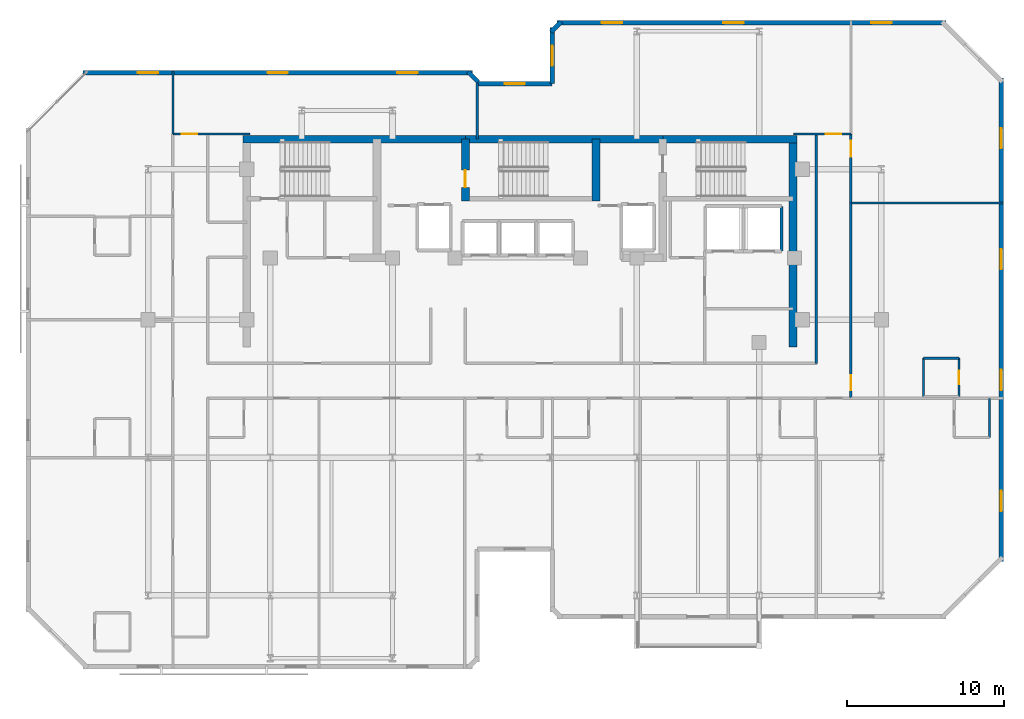
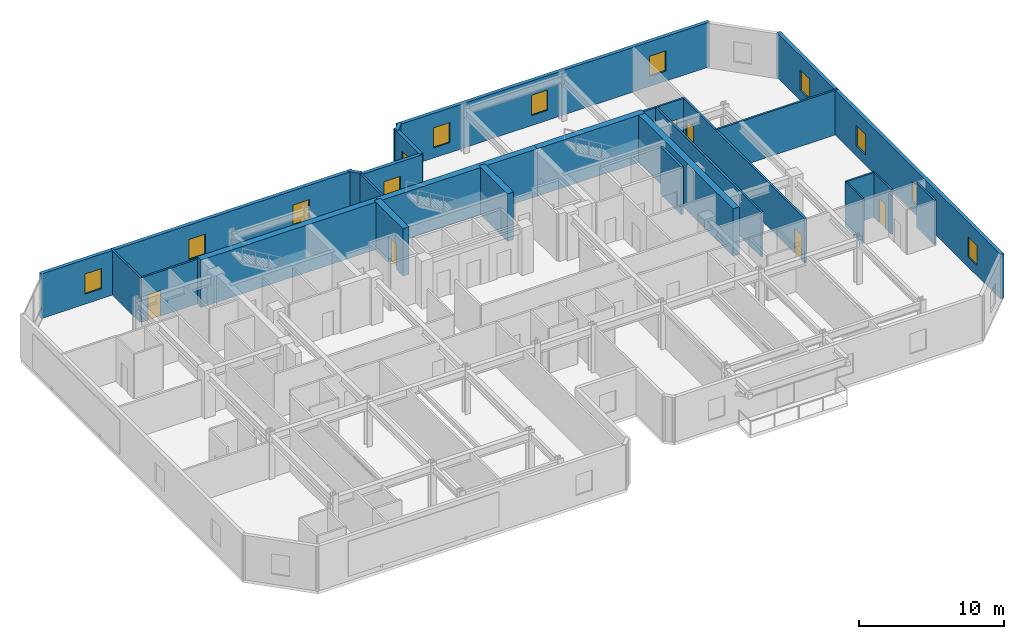
# One storey, part 7 of 10: 25 walls, 12 windows, 6 doors, 18 openings.
"""IFC4 building model written with IfcOpenShell, lengths in metres."""

from ifc_helpers import new_model, si_unit, direction, frame, frame_2d, origin, place, context, subcontext, project, spatial, rectangle, extrude, material, layer, layer_set, type_object, element, fill, save


model = new_model("IFC4")

# Units and contexts
model_context = context("Model", 3, precision=1e-05, world=origin(), true_north=direction((0.0, 1.0)))
body_context = subcontext(model_context, "Body", "Model", "MODEL_VIEW")
ifc_project = project(units=[si_unit("LENGTHUNIT", "METRE"), si_unit("AREAUNIT", "SQUARE_METRE"), si_unit("VOLUMEUNIT", "CUBIC_METRE"), si_unit("PLANEANGLEUNIT", "RADIAN"), si_unit("MASSUNIT", "GRAM", prefix="KILO")], contexts=[model_context])

# Site, building, storey
site_placement = place(None, origin())
site = spatial("IfcSite", under=ifc_project, at=site_placement, CompositionType="ELEMENT")
building_placement = place(site_placement, origin())
building = spatial("IfcBuilding", under=site, at=building_placement, Name="Kestravale Grand Hotel", CompositionType="ELEMENT")
storey_placement = place(building_placement, frame((0.0, 0.0, 285.39990234375)))
storey = spatial("IfcBuildingStorey", under=building, at=storey_placement, Name="L71", CompositionType="ELEMENT", Elevation=285.39990234375)

# Walls
ifc_material_1 = material(Name="Concrete f'c 50 MPa", Category="concrete")
ifc_layer_1 = layer(ifc_material_1, 0.5)
ifc_layer_set_1 = layer_set([ifc_layer_1], Name="EW-CORE-500")
wall_type_1 = type_object("IfcWallType", Name="EW-CORE-500", PredefinedType="SHEAR", material=ifc_layer_set_1)
wall_1_placement = place(storey_placement, frame((21.64990234375, 40.320068359375, 0.0), z_axis=(0.0, 0.0, 1.0), x_axis=(1.0, 0.0, 0.0)))
element("IfcWall", 1, at=wall_1_placement, inside=storey, type_object=wall_type_1, Name="L71 core shear wall N1", PredefinedType="SHEAR", context=body_context, shape_type="SweptSolid", body=[
    extrude(rectangle(XDim=14.2001953125, YDim=0.5, at=frame_2d((7.10009765625, 0.0))), origin(), (0.0, 0.0, 1.0), 4.0),
])
wall_2_placement = place(storey_placement, frame((35.85009765625, 40.320068359375, 0.0), z_axis=(0.0, 0.0, 1.0), x_axis=(1.0, 0.0, 0.0)))
element("IfcWall", 2, at=wall_2_placement, inside=storey, type_object=wall_type_1, Name="L71 core shear wall N2", PredefinedType="SHEAR", context=body_context, shape_type="SweptSolid", body=[
    extrude(rectangle(XDim=12.599853515625, YDim=0.5, at=frame_2d((6.2998046875, 0.0))), origin(), (0.0, 0.0, 1.0), 4.0),
])
wall_3_placement = place(storey_placement, frame((48.449951171875, 40.320068359375, 0.0), z_axis=(0.0, 0.0, 1.0), x_axis=(1.0, 0.0, 0.0)))
element("IfcWall", 3, at=wall_3_placement, inside=storey, type_object=wall_type_1, Name="L71 core shear wall N3", PredefinedType="SHEAR", context=body_context, shape_type="SweptSolid", body=[
    extrude(rectangle(XDim=8.570068359375, YDim=0.5, at=frame_2d((4.28515625, 0.0))), origin(), (0.0, 0.0, 1.0), 4.0),
])
wall_4_placement = place(storey_placement, frame((56.77001953125, 27.050048828125, 0.0), z_axis=(0.0, 0.0, 1.0), x_axis=(0.0, 1.0, 0.0)))
element("IfcWall", 4, at=wall_4_placement, inside=storey, type_object=wall_type_1, Name="L71 core shear wall E1", PredefinedType="SHEAR", context=body_context, shape_type="SweptSolid", body=[
    extrude(rectangle(XDim=13.52001953125, YDim=0.5, at=frame_2d((6.760009765625, 0.0))), origin(), (0.0, 0.0, 1.0), 4.0),
])

# Wall, opening, door
wall_5_placement = place(storey_placement, frame((35.85009765625, 36.3701171875, 0.0), z_axis=(0.0, 0.0, 1.0), x_axis=(0.0, 1.0, 0.0)))
wall_5 = element("IfcWall", 5, at=wall_5_placement, inside=storey, type_object=wall_type_1, Name="L71 core shear wall X2", PredefinedType="SHEAR", context=body_context, shape_type="SweptSolid", body=[
    extrude(rectangle(XDim=3.949951171875, YDim=0.5, at=frame_2d((1.97509765625, 0.0))), origin(), (0.0, 0.0, 1.0), 4.0),
])
opening_1_placement = place(wall_5_placement, frame((0.8798828125, 0.0, 0.0)))
opening_1 = element("IfcOpeningElement", 6, at=opening_1_placement, cuts=wall_5, Name="Opening D-ST-1100", PredefinedType="OPENING", context=body_context, shape_type="SweptSolid", body=[
    extrude(rectangle(XDim=1.10009765625, YDim=2.14990234375, at=frame_2d((0.550048828125, 1.074951171875))), frame((0.0, 0.260009765625, 0.0), z_axis=(0.0, -1.0, 0.0), x_axis=(1.0, 0.0, 0.0)), (0.0, 0.0, 1.0), 0.52001953125),
])
ifc_material_2 = material(Name="Galvanised 90-minute fire-rated steel stair door", Category="steel")
door_type_1 = type_object("IfcDoorType", Name="D-ST-1100", OperationType="NOTDEFINED", PredefinedType="DOOR", material=ifc_material_2)
door_1_placement = place(opening_1_placement, origin())
door_1 = element("IfcDoor", 7, at=door_1_placement, inside=storey, type_object=door_type_1, Name="L71 Stair ST-2 FSAE fire door", OperationType="SINGLE_SWING_RIGHT", OverallHeight=2.14990234375, OverallWidth=1.10009765625, PredefinedType="DOOR", context=body_context, shape_type="SweptSolid", body=[
    extrude(rectangle(XDim=1.10009765625, YDim=2.14990234375, at=frame_2d((0.550048828125, 1.074951171875))), frame((0.0, 0.02490234375, 0.0), z_axis=(0.0, -1.0, 0.0), x_axis=(1.0, 0.0, 0.0)), (0.0, 0.0, 1.0), 0.050048828125),
])
fill(opening_1, door_1)

# Wall
wall_6_placement = place(storey_placement, frame((44.179931640625, 36.3701171875, 0.0), z_axis=(0.0, 0.0, 1.0), x_axis=(0.0, 1.0, 0.0)))
element("IfcWall", 8, at=wall_6_placement, inside=storey, type_object=wall_type_1, Name="L71 core shear wall X3", PredefinedType="SHEAR", context=body_context, shape_type="SweptSolid", body=[
    extrude(rectangle(XDim=3.949951171875, YDim=0.5, at=frame_2d((1.97509765625, 0.0))), origin(), (0.0, 0.0, 1.0), 4.0),
])

# Wall, openings, windows
ifc_material_3 = material(Name="Precast concrete f'c 45 MPa", Category="concrete")
ifc_layer_2 = layer(ifc_material_3, 0.280029296875)
ifc_layer_set_2 = layer_set([ifc_layer_2], Name="EW-PREC-280")
wall_type_2 = type_object("IfcWallType", Name="EW-PREC-280", PredefinedType="SOLIDWALL", material=ifc_layer_set_2)
wall_7_placement = place(storey_placement, frame((70.06005859375, 13.360107421875, 0.0), z_axis=(0.0, 0.0, 1.0), x_axis=(0.0, 1.0, 0.0)))
wall_7 = element("IfcWall", 9, at=wall_7_placement, inside=storey, type_object=wall_type_2, Name="L71 fluted precast facade wall 9", PredefinedType="SOLIDWALL", context=body_context, shape_type="SweptSolid", body=[
    extrude(rectangle(XDim=30.8798828125, YDim=0.280029296875, at=frame_2d((15.43994140625, 0.0))), origin(), (0.0, 0.0, 1.0), 3.760009765625),
])
opening_2_placement = place(wall_7_placement, frame((3.2099609375, 0.0, 0.85009765625)))
opening_2 = element("IfcOpeningElement", 10, at=opening_2_placement, cuts=wall_7, Name="Opening W-GUEST-1300", PredefinedType="OPENING", context=body_context, shape_type="SweptSolid", body=[
    extrude(rectangle(XDim=1.300048828125, YDim=1.699951171875, at=frame_2d((0.64990234375, 0.85009765625))), frame((0.0, 0.14990234375, 0.0), z_axis=(0.0, -1.0, 0.0), x_axis=(1.0, 0.0, 0.0)), (0.0, 0.0, 1.0), 0.300048828125),
])
opening_3_placement = place(wall_7_placement, frame((10.929931640625, 0.0, 0.85009765625)))
opening_3 = element("IfcOpeningElement", 11, at=opening_3_placement, cuts=wall_7, Name="Opening W-GUEST-1300", PredefinedType="OPENING", context=body_context, shape_type="SweptSolid", body=[
    extrude(rectangle(XDim=1.300048828125, YDim=1.699951171875, at=frame_2d((0.64990234375, 0.85009765625))), frame((0.0, 0.14990234375, 0.0), z_axis=(0.0, -1.0, 0.0), x_axis=(1.0, 0.0, 0.0)), (0.0, 0.0, 1.0), 0.300048828125),
])
opening_4_placement = place(wall_7_placement, frame((18.64990234375, 0.0, 0.85009765625)))
opening_4 = element("IfcOpeningElement", 12, at=opening_4_placement, cuts=wall_7, Name="Opening W-GUEST-1300", PredefinedType="OPENING", context=body_context, shape_type="SweptSolid", body=[
    extrude(rectangle(XDim=1.300048828125, YDim=1.699951171875, at=frame_2d((0.64990234375, 0.85009765625))), frame((0.0, 0.14990234375, 0.0), z_axis=(0.0, -1.0, 0.0), x_axis=(1.0, 0.0, 0.0)), (0.0, 0.0, 1.0), 0.300048828125),
])
opening_5_placement = place(wall_7_placement, frame((26.3701171875, 0.0, 0.85009765625)))
opening_5 = element("IfcOpeningElement", 13, at=opening_5_placement, cuts=wall_7, Name="Opening W-GUEST-1300", PredefinedType="OPENING", context=body_context, shape_type="SweptSolid", body=[
    extrude(rectangle(XDim=1.300048828125, YDim=1.699951171875, at=frame_2d((0.64990234375, 0.85009765625))), frame((0.0, 0.14990234375, 0.0), z_axis=(0.0, -1.0, 0.0), x_axis=(1.0, 0.0, 0.0)), (0.0, 0.0, 1.0), 0.300048828125),
])
ifc_material_4 = material(Name="Insulated low-E double glazing in aluminium frame", Category="aluminium")
window_type = type_object("IfcWindowType", Name="W-GUEST-1300", PartitioningType="SINGLE_PANEL", PredefinedType="WINDOW", material=ifc_material_4)
window_1_placement = place(opening_2_placement, origin())
window_1 = element("IfcWindow", 14, at=window_1_placement, inside=storey, type_object=window_type, Name="L71 exterior window 9.1", OverallHeight=1.699951171875, OverallWidth=1.300048828125, PartitioningType="SINGLE_PANEL", PredefinedType="WINDOW", context=body_context, shape_type="SweptSolid", body=[
    extrude(rectangle(XDim=1.300048828125, YDim=1.699951171875, at=frame_2d((0.64990234375, 0.85009765625))), frame((0.0, 0.030029296875, 0.0), z_axis=(0.0, -1.0, 0.0), x_axis=(1.0, 0.0, 0.0)), (0.0, 0.0, 1.0), 0.06005859375),
])
fill(opening_2, window_1)
window_2_placement = place(opening_3_placement, origin())
window_2 = element("IfcWindow", 15, at=window_2_placement, inside=storey, type_object=window_type, Name="L71 exterior window 9.2", OverallHeight=1.699951171875, OverallWidth=1.300048828125, PartitioningType="SINGLE_PANEL", PredefinedType="WINDOW", context=body_context, shape_type="SweptSolid", body=[
    extrude(rectangle(XDim=1.300048828125, YDim=1.699951171875, at=frame_2d((0.64990234375, 0.85009765625))), frame((0.0, 0.030029296875, 0.0), z_axis=(0.0, -1.0, 0.0), x_axis=(1.0, 0.0, 0.0)), (0.0, 0.0, 1.0), 0.06005859375),
])
fill(opening_3, window_2)
window_3_placement = place(opening_4_placement, origin())
window_3 = element("IfcWindow", 16, at=window_3_placement, inside=storey, type_object=window_type, Name="L71 exterior window 9.3", OverallHeight=1.699951171875, OverallWidth=1.300048828125, PartitioningType="SINGLE_PANEL", PredefinedType="WINDOW", context=body_context, shape_type="SweptSolid", body=[
    extrude(rectangle(XDim=1.300048828125, YDim=1.699951171875, at=frame_2d((0.64990234375, 0.85009765625))), frame((0.0, 0.030029296875, 0.0), z_axis=(0.0, -1.0, 0.0), x_axis=(1.0, 0.0, 0.0)), (0.0, 0.0, 1.0), 0.06005859375),
])
fill(opening_4, window_3)
window_4_placement = place(opening_5_placement, origin())
window_4 = element("IfcWindow", 17, at=window_4_placement, inside=storey, type_object=window_type, Name="L71 exterior window 9.4", OverallHeight=1.699951171875, OverallWidth=1.300048828125, PartitioningType="SINGLE_PANEL", PredefinedType="WINDOW", context=body_context, shape_type="SweptSolid", body=[
    extrude(rectangle(XDim=1.300048828125, YDim=1.699951171875, at=frame_2d((0.64990234375, 0.85009765625))), frame((0.0, 0.030029296875, 0.0), z_axis=(0.0, -1.0, 0.0), x_axis=(1.0, 0.0, 0.0)), (0.0, 0.0, 1.0), 0.06005859375),
])
fill(opening_5, window_4)

wall_8_placement = place(storey_placement, frame((66.5400390625, 47.760009765625, 0.0), z_axis=(0.0, 0.0, 1.0), x_axis=(-1.0, 0.0, 0.0)))
wall_8 = element("IfcWall", 18, at=wall_8_placement, inside=storey, type_object=wall_type_2, Name="L71 fluted precast facade wall 11", PredefinedType="SOLIDWALL", context=body_context, shape_type="SweptSolid", body=[
    extrude(rectangle(XDim=24.830078125, YDim=0.280029296875, at=frame_2d((12.4150390625, 0.0))), origin(), (0.0, 0.0, 1.0), 3.760009765625),
])
opening_6_placement = place(wall_8_placement, frame((3.48828125, 0.0, 0.85009765625)))
opening_6 = element("IfcOpeningElement", 19, at=opening_6_placement, cuts=wall_8, Name="Opening W-GUEST-1300", PredefinedType="OPENING", context=body_context, shape_type="SweptSolid", body=[
    extrude(rectangle(XDim=1.300048828125, YDim=1.699951171875, at=frame_2d((0.64990234375, 0.85009765625))), frame((0.0, 0.14990234375, 0.0), z_axis=(0.0, -1.0, 0.0), x_axis=(1.0, 0.0, 0.0)), (0.0, 0.0, 1.0), 0.300048828125),
])
opening_7_placement = place(wall_8_placement, frame((12.9150390625, 0.0, 0.85009765625)))
opening_7 = element("IfcOpeningElement", 20, at=opening_7_placement, cuts=wall_8, Name="Opening W-GUEST-1300", PredefinedType="OPENING", context=body_context, shape_type="SweptSolid", body=[
    extrude(rectangle(XDim=1.300048828125, YDim=1.699951171875, at=frame_2d((0.64990234375, 0.85009765625))), frame((0.0, 0.14990234375, 0.0), z_axis=(0.0, -1.0, 0.0), x_axis=(1.0, 0.0, 0.0)), (0.0, 0.0, 1.0), 0.300048828125),
])
opening_8_placement = place(wall_8_placement, frame((20.691650390625, 0.0, 0.85009765625)))
opening_8 = element("IfcOpeningElement", 21, at=opening_8_placement, cuts=wall_8, Name="Opening W-GUEST-1300", PredefinedType="OPENING", context=body_context, shape_type="SweptSolid", body=[
    extrude(rectangle(XDim=1.300048828125, YDim=1.699951171875, at=frame_2d((0.64990234375, 0.85009765625))), frame((0.0, 0.14990234375, 0.0), z_axis=(0.0, -1.0, 0.0), x_axis=(1.0, 0.0, 0.0)), (0.0, 0.0, 1.0), 0.300048828125),
])
window_5_placement = place(opening_6_placement, origin())
window_5 = element("IfcWindow", 22, at=window_5_placement, inside=storey, type_object=window_type, Name="L71 exterior window 11.1", OverallHeight=1.699951171875, OverallWidth=1.300048828125, PartitioningType="SINGLE_PANEL", PredefinedType="WINDOW", context=body_context, shape_type="SweptSolid", body=[
    extrude(rectangle(XDim=1.300048828125, YDim=1.699951171875, at=frame_2d((0.64990234375, 0.85009765625))), frame((0.0, 0.030029296875, 0.0), z_axis=(0.0, -1.0, 0.0), x_axis=(1.0, 0.0, 0.0)), (0.0, 0.0, 1.0), 0.06005859375),
])
fill(opening_6, window_5)
window_6_placement = place(opening_7_placement, origin())
window_6 = element("IfcWindow", 23, at=window_6_placement, inside=storey, type_object=window_type, Name="L71 exterior window 11.2", OverallHeight=1.699951171875, OverallWidth=1.300048828125, PartitioningType="SINGLE_PANEL", PredefinedType="WINDOW", context=body_context, shape_type="SweptSolid", body=[
    extrude(rectangle(XDim=1.300048828125, YDim=1.699951171875, at=frame_2d((0.64990234375, 0.85009765625))), frame((0.0, 0.030029296875, 0.0), z_axis=(0.0, -1.0, 0.0), x_axis=(1.0, 0.0, 0.0)), (0.0, 0.0, 1.0), 0.06005859375),
])
fill(opening_7, window_6)
window_7_placement = place(opening_8_placement, origin())
window_7 = element("IfcWindow", 24, at=window_7_placement, inside=storey, type_object=window_type, Name="L71 exterior window 11.3", OverallHeight=1.699951171875, OverallWidth=1.300048828125, PartitioningType="SINGLE_PANEL", PredefinedType="WINDOW", context=body_context, shape_type="SweptSolid", body=[
    extrude(rectangle(XDim=1.300048828125, YDim=1.699951171875, at=frame_2d((0.64990234375, 0.85009765625))), frame((0.0, 0.030029296875, 0.0), z_axis=(0.0, -1.0, 0.0), x_axis=(1.0, 0.0, 0.0)), (0.0, 0.0, 1.0), 0.06005859375),
])
fill(opening_8, window_7)

# Wall
wall_9_placement = place(storey_placement, frame((41.977294921875, 47.829345703125, 0.0), z_axis=(0.0, 0.0, 1.0), x_axis=(-0.706975312048, -0.707238225886, 0.0)))
element("IfcWall", 25, at=wall_9_placement, inside=storey, type_object=wall_type_2, Name="L71 fluted precast facade wall 12", PredefinedType="SOLIDWALL", context=body_context, shape_type="SweptSolid", body=[
    extrude(rectangle(XDim=0.9287109375, YDim=0.280029296875, at=frame_2d((0.46435546875, 0.0))), origin(), (0.0, 0.0, 1.0), 3.760009765625),
])

# Wall, opening, window
wall_10_placement = place(storey_placement, frame((41.389892578125, 47.43994140625, 0.0), z_axis=(0.0, 0.0, 1.0), x_axis=(0.0, -1.0, 0.0)))
wall_10 = element("IfcWall", 26, at=wall_10_placement, inside=storey, type_object=wall_type_2, Name="L71 fluted precast facade wall 13", PredefinedType="SOLIDWALL", context=body_context, shape_type="SweptSolid", body=[
    extrude(rectangle(XDim=3.579833984375, YDim=0.280029296875, at=frame_2d((1.7900390625, 0.0))), origin(), (0.0, 0.0, 1.0), 3.760009765625),
])
opening_9_placement = place(wall_10_placement, frame((1.139892578125, 0.0, 0.85009765625)))
opening_9 = element("IfcOpeningElement", 27, at=opening_9_placement, cuts=wall_10, Name="Opening W-GUEST-1300", PredefinedType="OPENING", context=body_context, shape_type="SweptSolid", body=[
    extrude(rectangle(XDim=1.300048828125, YDim=1.699951171875, at=frame_2d((0.64990234375, 0.85009765625))), frame((0.0, 0.14990234375, 0.0), z_axis=(0.0, -1.0, 0.0), x_axis=(1.0, 0.0, 0.0)), (0.0, 0.0, 1.0), 0.300048828125),
])
window_8_placement = place(opening_9_placement, origin())
window_8 = element("IfcWindow", 28, at=window_8_placement, inside=storey, type_object=window_type, Name="L71 exterior window 13.1", OverallHeight=1.699951171875, OverallWidth=1.300048828125, PartitioningType="SINGLE_PANEL", PredefinedType="WINDOW", context=body_context, shape_type="SweptSolid", body=[
    extrude(rectangle(XDim=1.300048828125, YDim=1.699951171875, at=frame_2d((0.64990234375, 0.85009765625))), frame((0.0, 0.030029296875, 0.0), z_axis=(0.0, -1.0, 0.0), x_axis=(1.0, 0.0, 0.0)), (0.0, 0.0, 1.0), 0.06005859375),
])
fill(opening_9, window_8)

wall_11_placement = place(storey_placement, frame((41.389892578125, 43.860107421875, 0.0), z_axis=(0.0, 0.0, 1.0), x_axis=(-1.0, 0.0, 0.0)))
wall_11 = element("IfcWall", 29, at=wall_11_placement, inside=storey, type_object=wall_type_2, Name="L71 fluted precast facade wall 14", PredefinedType="SOLIDWALL", context=body_context, shape_type="SweptSolid", body=[
    extrude(rectangle(XDim=4.77978515625, YDim=0.280029296875, at=frame_2d((2.389892578125, 0.0))), origin(), (0.0, 0.0, 1.0), 3.760009765625),
])
opening_10_placement = place(wall_11_placement, frame((1.739990234375, 0.0, 0.85009765625)))
opening_10 = element("IfcOpeningElement", 30, at=opening_10_placement, cuts=wall_11, Name="Opening W-GUEST-1300", PredefinedType="OPENING", context=body_context, shape_type="SweptSolid", body=[
    extrude(rectangle(XDim=1.300048828125, YDim=1.699951171875, at=frame_2d((0.64990234375, 0.85009765625))), frame((0.0, 0.14990234375, 0.0), z_axis=(0.0, -1.0, 0.0), x_axis=(1.0, 0.0, 0.0)), (0.0, 0.0, 1.0), 0.300048828125),
])
window_9_placement = place(opening_10_placement, origin())
window_9 = element("IfcWindow", 31, at=window_9_placement, inside=storey, type_object=window_type, Name="L71 exterior window 14.1", OverallHeight=1.699951171875, OverallWidth=1.300048828125, PartitioningType="SINGLE_PANEL", PredefinedType="WINDOW", context=body_context, shape_type="SweptSolid", body=[
    extrude(rectangle(XDim=1.300048828125, YDim=1.699951171875, at=frame_2d((0.64990234375, 0.85009765625))), frame((0.0, 0.030029296875, 0.0), z_axis=(0.0, -1.0, 0.0), x_axis=(1.0, 0.0, 0.0)), (0.0, 0.0, 1.0), 0.06005859375),
])
fill(opening_10, window_9)

# Wall
wall_12_placement = place(storey_placement, frame((36.67919921875, 43.97265625, 0.0), z_axis=(0.0, 0.0, 1.0), x_axis=(-0.706975312048, 0.707238225886, 0.0)))
element("IfcWall", 32, at=wall_12_placement, inside=storey, type_object=wall_type_2, Name="L71 fluted precast facade wall 16", PredefinedType="SOLIDWALL", context=body_context, shape_type="SweptSolid", body=[
    extrude(rectangle(XDim=0.9287109375, YDim=0.280029296875, at=frame_2d((0.46435546875, 0.0))), origin(), (0.0, 0.0, 1.0), 3.760009765625),
])

# Wall, openings, windows
wall_13_placement = place(storey_placement, frame((36.2900390625, 44.56005859375, 0.0), z_axis=(0.0, 0.0, 1.0), x_axis=(-1.0, 0.0, 0.0)))
wall_13 = element("IfcWall", 33, at=wall_13_placement, inside=storey, type_object=wall_type_2, Name="L71 fluted precast facade wall 17", PredefinedType="SOLIDWALL", context=body_context, shape_type="SweptSolid", body=[
    extrude(rectangle(XDim=24.830078125, YDim=0.280029296875, at=frame_2d((12.4150390625, 0.0))), origin(), (0.0, 0.0, 1.0), 3.760009765625),
])
opening_11_placement = place(wall_13_placement, frame((3.48828125, 0.0, 0.85009765625)))
opening_11 = element("IfcOpeningElement", 34, at=opening_11_placement, cuts=wall_13, Name="Opening W-GUEST-1300", PredefinedType="OPENING", context=body_context, shape_type="SweptSolid", body=[
    extrude(rectangle(XDim=1.300048828125, YDim=1.699951171875, at=frame_2d((0.64990234375, 0.85009765625))), frame((0.0, 0.14990234375, 0.0), z_axis=(0.0, -1.0, 0.0), x_axis=(1.0, 0.0, 0.0)), (0.0, 0.0, 1.0), 0.300048828125),
])
opening_12_placement = place(wall_13_placement, frame((11.764892578125, 0.0, 0.85009765625)))
opening_12 = element("IfcOpeningElement", 35, at=opening_12_placement, cuts=wall_13, Name="Opening W-GUEST-1300", PredefinedType="OPENING", context=body_context, shape_type="SweptSolid", body=[
    extrude(rectangle(XDim=1.300048828125, YDim=1.699951171875, at=frame_2d((0.64990234375, 0.85009765625))), frame((0.0, 0.14990234375, 0.0), z_axis=(0.0, -1.0, 0.0), x_axis=(1.0, 0.0, 0.0)), (0.0, 0.0, 1.0), 0.300048828125),
])
opening_13_placement = place(wall_13_placement, frame((20.041748046875, 0.0, 0.85009765625)))
opening_13 = element("IfcOpeningElement", 36, at=opening_13_placement, cuts=wall_13, Name="Opening W-GUEST-1300", PredefinedType="OPENING", context=body_context, shape_type="SweptSolid", body=[
    extrude(rectangle(XDim=1.300048828125, YDim=1.699951171875, at=frame_2d((0.64990234375, 0.85009765625))), frame((0.0, 0.14990234375, 0.0), z_axis=(0.0, -1.0, 0.0), x_axis=(1.0, 0.0, 0.0)), (0.0, 0.0, 1.0), 0.300048828125),
])
window_10_placement = place(opening_11_placement, origin())
window_10 = element("IfcWindow", 37, at=window_10_placement, inside=storey, type_object=window_type, Name="L71 exterior window 17.1", OverallHeight=1.699951171875, OverallWidth=1.300048828125, PartitioningType="SINGLE_PANEL", PredefinedType="WINDOW", context=body_context, shape_type="SweptSolid", body=[
    extrude(rectangle(XDim=1.300048828125, YDim=1.699951171875, at=frame_2d((0.64990234375, 0.85009765625))), frame((0.0, 0.030029296875, 0.0), z_axis=(0.0, -1.0, 0.0), x_axis=(1.0, 0.0, 0.0)), (0.0, 0.0, 1.0), 0.06005859375),
])
fill(opening_11, window_10)
window_11_placement = place(opening_12_placement, origin())
window_11 = element("IfcWindow", 38, at=window_11_placement, inside=storey, type_object=window_type, Name="L71 exterior window 17.2", OverallHeight=1.699951171875, OverallWidth=1.300048828125, PartitioningType="SINGLE_PANEL", PredefinedType="WINDOW", context=body_context, shape_type="SweptSolid", body=[
    extrude(rectangle(XDim=1.300048828125, YDim=1.699951171875, at=frame_2d((0.64990234375, 0.85009765625))), frame((0.0, 0.030029296875, 0.0), z_axis=(0.0, -1.0, 0.0), x_axis=(1.0, 0.0, 0.0)), (0.0, 0.0, 1.0), 0.06005859375),
])
fill(opening_12, window_11)
window_12_placement = place(opening_13_placement, origin())
window_12 = element("IfcWindow", 39, at=window_12_placement, inside=storey, type_object=window_type, Name="L71 exterior window 17.3", OverallHeight=1.699951171875, OverallWidth=1.300048828125, PartitioningType="SINGLE_PANEL", PredefinedType="WINDOW", context=body_context, shape_type="SweptSolid", body=[
    extrude(rectangle(XDim=1.300048828125, YDim=1.699951171875, at=frame_2d((0.64990234375, 0.85009765625))), frame((0.0, 0.030029296875, 0.0), z_axis=(0.0, -1.0, 0.0), x_axis=(1.0, 0.0, 0.0)), (0.0, 0.0, 1.0), 0.06005859375),
])
fill(opening_13, window_12)

# Wall, openings, doors
ifc_material_5 = material(Name="Acoustic fire-rated gypsum board partition", Category="other")
ifc_layer_3 = layer(ifc_material_5, 0.159912109375)
ifc_layer_set_3 = layer_set([ifc_layer_3], Name="IW-CORR-160")
wall_type_3 = type_object("IfcWallType", Name="IW-CORR-160", PredefinedType="PARTITIONING", material=ifc_layer_set_3)
wall_14_placement = place(storey_placement, frame((60.4599609375, 23.85009765625, 0.0), z_axis=(0.0, 0.0, 1.0), x_axis=(0.0, 1.0, 0.0)))
wall_14 = element("IfcWall", 40, at=wall_14_placement, inside=storey, type_object=wall_type_3, Name="W-L71-SE-E", PredefinedType="PARTITIONING", context=body_context, shape_type="SweptSolid", body=[
    extrude(rectangle(XDim=16.7998046875, YDim=0.159912109375, at=frame_2d((8.39990234375, 0.0))), origin(), (0.0, 0.0, 1.0), 3.760009765625),
])
opening_14_placement = place(wall_14_placement, frame((0.4599609375, 0.0, 0.0)))
opening_14 = element("IfcOpeningElement", 41, at=opening_14_placement, cuts=wall_14, Name="Opening D-GUEST-950", PredefinedType="OPENING", context=body_context, shape_type="SweptSolid", body=[
    extrude(rectangle(XDim=0.949951171875, YDim=2.10009765625, at=frame_2d((0.47509765625, 1.050048828125))), frame((0.0, 0.08984375, 0.0), z_axis=(0.0, -1.0, 0.0), x_axis=(1.0, 0.0, 0.0)), (0.0, 0.0, 1.0), 0.179931640625),
])
opening_15_placement = place(wall_14_placement, frame((15.360107421875, 0.0, 0.0)))
opening_15 = element("IfcOpeningElement", 42, at=opening_15_placement, cuts=wall_14, Name="Opening D-GUEST-1000", PredefinedType="OPENING", context=body_context, shape_type="SweptSolid", body=[
    extrude(rectangle(XDim=1.0, YDim=2.14990234375, at=frame_2d((0.5, 1.074951171875))), frame((0.0, 0.08984375, 0.0), z_axis=(0.0, -1.0, 0.0), x_axis=(1.0, 0.0, 0.0)), (0.0, 0.0, 1.0), 0.179931640625),
])
ifc_material_6 = material(Name="Accessible walnut veneer hotel entrance fire door", Category="wood")
door_type_2 = type_object("IfcDoorType", Name="D-GUEST-1000", OperationType="NOTDEFINED", PredefinedType="DOOR", material=ifc_material_6)
door_2_placement = place(opening_15_placement, origin())
door_2 = element("IfcDoor", 43, at=door_2_placement, inside=storey, type_object=door_type_2, Name="D-L71-AMEW", OperationType="SINGLE_SWING_LEFT", OverallHeight=2.14990234375, OverallWidth=1.0, PredefinedType="DOOR", context=body_context, shape_type="SweptSolid", body=[
    extrude(rectangle(XDim=1.0, YDim=2.14990234375, at=frame_2d((0.5, 1.074951171875))), frame((0.0, 0.02490234375, 0.0), z_axis=(0.0, -1.0, 0.0), x_axis=(1.0, 0.0, 0.0)), (0.0, 0.0, 1.0), 0.050048828125),
])
fill(opening_15, door_2)
ifc_material_7 = material(Name="Walnut veneer hotel guestroom entrance fire door", Category="wood")
door_type_3 = type_object("IfcDoorType", Name="D-GUEST-950", OperationType="NOTDEFINED", PredefinedType="DOOR", material=ifc_material_7)
door_3_placement = place(opening_14_placement, origin())
door_3 = element("IfcDoor", 44, at=door_3_placement, inside=storey, type_object=door_type_3, Name="D-L71-U09-ENT", OperationType="SINGLE_SWING_RIGHT", OverallHeight=2.10009765625, OverallWidth=0.949951171875, PredefinedType="DOOR", context=body_context, shape_type="SweptSolid", body=[
    extrude(rectangle(XDim=0.949951171875, YDim=2.10009765625, at=frame_2d((0.47509765625, 1.050048828125))), frame((0.0, 0.02490234375, 0.0), z_axis=(0.0, -1.0, 0.0), x_axis=(1.0, 0.0, 0.0)), (0.0, 0.0, 1.0), 0.050048828125),
])
fill(opening_14, door_3)

# Walls
wall_15_placement = place(storey_placement, frame((58.239990234375, 26.010009765625, 0.0), z_axis=(0.0, 0.0, 1.0), x_axis=(0.0, 1.0, 0.0)))
element("IfcWall", 45, at=wall_15_placement, inside=storey, type_object=wall_type_3, Name="W-L71-SE-WU", PredefinedType="PARTITIONING", context=body_context, shape_type="SweptSolid", body=[
    extrude(rectangle(XDim=14.639892578125, YDim=0.159912109375, at=frame_2d((7.31982421875, 0.0))), origin(), (0.0, 0.0, 1.0), 3.760009765625),
])
ifc_material_8 = material(Name="Moisture-resistant tile-backer plumbing chase wall", Category="other")
ifc_layer_4 = layer(ifc_material_8, 0.139892578125)
ifc_layer_set_4 = layer_set([ifc_layer_4], Name="IW-PLB-140")
wall_type_4 = type_object("IfcWallType", Name="IW-PLB-140", PredefinedType="PLUMBINGWALL", material=ifc_layer_set_4)
wall_16_placement = place(storey_placement, frame((69.300048828125, 21.280029296875, 0.0), z_axis=(0.0, 0.0, 1.0), x_axis=(0.0, 1.0, 0.0)))
element("IfcWall", 46, at=wall_16_placement, inside=storey, type_object=wall_type_4, Name="W-L71-U08-BE", PredefinedType="PLUMBINGWALL", context=body_context, shape_type="SweptSolid", body=[
    extrude(rectangle(XDim=2.489990234375, YDim=0.139892578125, at=frame_2d((1.2451171875, 0.0))), origin(), (0.0, 0.0, 1.0), 3.760009765625),
])
wall_17_placement = place(storey_placement, frame((65.10009765625, 23.889892578125, 0.0), z_axis=(0.0, 0.0, 1.0), x_axis=(0.0, 1.0, 0.0)))
element("IfcWall", 47, at=wall_17_placement, inside=storey, type_object=wall_type_4, Name="W-L71-U09-BW", PredefinedType="PLUMBINGWALL", context=body_context, shape_type="SweptSolid", body=[
    extrude(rectangle(XDim=2.4501953125, YDim=0.139892578125, at=frame_2d((1.22509765625, 0.0))), origin(), (0.0, 0.0, 1.0), 3.760009765625),
])

# Wall, opening, door
wall_18_placement = place(storey_placement, frame((67.35009765625, 23.889892578125, 0.0), z_axis=(0.0, 0.0, 1.0), x_axis=(0.0, 1.0, 0.0)))
wall_18 = element("IfcWall", 48, at=wall_18_placement, inside=storey, type_object=wall_type_4, Name="W-L71-U09-BE", PredefinedType="PLUMBINGWALL", context=body_context, shape_type="SweptSolid", body=[
    extrude(rectangle(XDim=2.4501953125, YDim=0.139892578125, at=frame_2d((1.22509765625, 0.0))), origin(), (0.0, 0.0, 1.0), 3.760009765625),
])
opening_16_placement = place(wall_18_placement, frame((0.784912109375, 0.0, 0.0)))
opening_16 = element("IfcOpeningElement", 49, at=opening_16_placement, cuts=wall_18, Name="Opening D-BATH-880", PredefinedType="OPENING", context=body_context, shape_type="SweptSolid", body=[
    extrude(rectangle(XDim=0.8798828125, YDim=2.050048828125, at=frame_2d((0.43994140625, 1.02490234375))), frame((0.0, 0.079833984375, 0.0), z_axis=(0.0, -1.0, 0.0), x_axis=(1.0, 0.0, 0.0)), (0.0, 0.0, 1.0), 0.159912109375),
])
ifc_material_9 = material(Name="Moisture-sealed walnut en-suite bathroom door", Category="wood")
door_type_4 = type_object("IfcDoorType", Name="D-BATH-880", OperationType="NOTDEFINED", PredefinedType="DOOR", material=ifc_material_9)
door_4_placement = place(opening_16_placement, origin())
door_4 = element("IfcDoor", 50, at=door_4_placement, inside=storey, type_object=door_type_4, Name="D-L71-U09-BATH", OperationType="SINGLE_SWING_LEFT", OverallHeight=2.050048828125, OverallWidth=0.8798828125, PredefinedType="DOOR", context=body_context, shape_type="SweptSolid", body=[
    extrude(rectangle(XDim=0.8798828125, YDim=2.050048828125, at=frame_2d((0.43994140625, 1.02490234375))), frame((0.0, 0.02490234375, 0.0), z_axis=(0.0, -1.0, 0.0), x_axis=(1.0, 0.0, 0.0)), (0.0, 0.0, 1.0), 0.050048828125),
])
fill(opening_16, door_4)

# Walls
wall_19_placement = place(storey_placement, frame((65.10009765625, 26.340087890625, 0.0), z_axis=(0.0, 0.0, 1.0), x_axis=(1.0, 0.0, 0.0)))
element("IfcWall", 51, at=wall_19_placement, inside=storey, type_object=wall_type_4, Name="W-L71-U09-BN", PredefinedType="PLUMBINGWALL", context=body_context, shape_type="SweptSolid", body=[
    extrude(rectangle(XDim=2.25, YDim=0.139892578125, at=frame_2d((1.125, 0.0))), origin(), (0.0, 0.0, 1.0), 3.760009765625),
])
ifc_material_10 = material(Name="Concrete f'c 45 MPa", Category="concrete")
ifc_layer_5 = layer(ifc_material_10, 0.199951171875)
ifc_layer_set_5 = layer_set([ifc_layer_5], Name="IW-SHAFT-200")
wall_type_5 = type_object("IfcWallType", Name="IW-SHAFT-200", PredefinedType="SHEAR", material=ifc_layer_set_5)
wall_20_placement = place(storey_placement, frame((56.02001953125, 33.169921875, 0.0), z_axis=(0.0, 0.0, 1.0), x_axis=(0.0, 1.0, 0.0)))
element("IfcWall", 52, at=wall_20_placement, inside=storey, type_object=wall_type_5, Name="L71 SL-2 east shaft wall", PredefinedType="SHEAR", context=body_context, shape_type="SweptSolid", body=[
    extrude(rectangle(XDim=2.860107421875, YDim=0.199951171875, at=frame_2d((1.43017578125, 0.0))), origin(), (0.0, 0.0, 1.0), 4.0),
])

# Wall, opening, door
ifc_material_11 = material(Name="Double-stud STC 52 acoustic demising partition", Category="other")
ifc_layer_6 = layer(ifc_material_11, 0.14990234375)
ifc_layer_set_6 = layer_set([ifc_layer_6], Name="IW-UNIT-150")
wall_type_6 = type_object("IfcWallType", Name="IW-UNIT-150", PredefinedType="PARTITIONING", material=ifc_layer_set_6)
wall_21_placement = place(storey_placement, frame((17.18994140625, 40.64990234375, 0.0), z_axis=(0.0, 0.0, 1.0), x_axis=(1.0, 0.0, 0.0)))
wall_21 = element("IfcWall", 53, at=wall_21_placement, inside=storey, type_object=wall_type_6, Name="W-L71-SW-N", PredefinedType="PARTITIONING", context=body_context, shape_type="SweptSolid", body=[
    extrude(rectangle(XDim=4.91015625, YDim=0.14990234375, at=frame_2d((2.455078125, 0.0))), origin(), (0.0, 0.0, 1.0), 3.760009765625),
])
opening_17_placement = place(wall_21_placement, frame((0.550048828125, 0.0, 0.0)))
opening_17 = element("IfcOpeningElement", 54, at=opening_17_placement, cuts=wall_21, Name="Opening D-GUEST-1000", PredefinedType="OPENING", context=body_context, shape_type="SweptSolid", body=[
    extrude(rectangle(XDim=1.0, YDim=2.14990234375, at=frame_2d((0.5, 1.074951171875))), frame((0.0, 0.0849609375, 0.0), z_axis=(0.0, -1.0, 0.0), x_axis=(1.0, 0.0, 0.0)), (0.0, 0.0, 1.0), 0.169921875),
])
door_5_placement = place(opening_17_placement, origin())
door_5 = element("IfcDoor", 55, at=door_5_placement, inside=storey, type_object=door_type_2, Name="L71 NW Gallery Door", OperationType="SINGLE_SWING_RIGHT", OverallHeight=2.14990234375, OverallWidth=1.0, PredefinedType="DOOR", context=body_context, shape_type="SweptSolid", body=[
    extrude(rectangle(XDim=1.0, YDim=2.14990234375, at=frame_2d((0.5, 1.074951171875))), frame((0.0, 0.02490234375, 0.0), z_axis=(0.0, -1.0, 0.0), x_axis=(1.0, 0.0, 0.0)), (0.0, 0.0, 1.0), 0.050048828125),
])
fill(opening_17, door_5)

wall_22_placement = place(storey_placement, frame((56.800048828125, 40.64990234375, 0.0), z_axis=(0.0, 0.0, 1.0), x_axis=(1.0, 0.0, 0.0)))
wall_22 = element("IfcWall", 56, at=wall_22_placement, inside=storey, type_object=wall_type_6, Name="W-L71-SE-N", PredefinedType="PARTITIONING", context=body_context, shape_type="SweptSolid", body=[
    extrude(rectangle(XDim=3.659912109375, YDim=0.14990234375, at=frame_2d((1.830078125, 0.0))), origin(), (0.0, 0.0, 1.0), 3.760009765625),
])
opening_18_placement = place(wall_22_placement, frame((2.050048828125, 0.0, 0.0)))
opening_18 = element("IfcOpeningElement", 57, at=opening_18_placement, cuts=wall_22, Name="Opening D-GUEST-1000", PredefinedType="OPENING", context=body_context, shape_type="SweptSolid", body=[
    extrude(rectangle(XDim=1.0, YDim=2.14990234375, at=frame_2d((0.5, 1.074951171875))), frame((0.0, 0.0849609375, 0.0), z_axis=(0.0, -1.0, 0.0), x_axis=(1.0, 0.0, 0.0)), (0.0, 0.0, 1.0), 0.169921875),
])
door_6_placement = place(opening_18_placement, origin())
door_6 = element("IfcDoor", 58, at=door_6_placement, inside=storey, type_object=door_type_2, Name="L71 NE Gallery Door", OperationType="SINGLE_SWING_LEFT", OverallHeight=2.14990234375, OverallWidth=1.0, PredefinedType="DOOR", context=body_context, shape_type="SweptSolid", body=[
    extrude(rectangle(XDim=1.0, YDim=2.14990234375, at=frame_2d((0.5, 1.074951171875))), frame((0.0, 0.02490234375, 0.0), z_axis=(0.0, -1.0, 0.0), x_axis=(1.0, 0.0, 0.0)), (0.0, 0.0, 1.0), 0.050048828125),
])
fill(opening_18, door_6)

# Walls
wall_23_placement = place(storey_placement, frame((17.18994140625, 40.64990234375, 0.0), z_axis=(0.0, 0.0, 1.0), x_axis=(0.0, 1.0, 0.0)))
element("IfcWall", 59, at=wall_23_placement, inside=storey, type_object=wall_type_6, Name="W-L71-NGW-W", PredefinedType="PARTITIONING", context=body_context, shape_type="SweptSolid", body=[
    extrude(rectangle(XDim=4.030029296875, YDim=0.14990234375, at=frame_2d((2.01513671875, 0.0))), origin(), (0.0, 0.0, 1.0), 3.760009765625),
])
wall_24_placement = place(storey_placement, frame((36.60009765625, 40.320068359375, 0.0), z_axis=(0.0, 0.0, 1.0), x_axis=(0.0, 1.0, 0.0)))
element("IfcWall", 60, at=wall_24_placement, inside=storey, type_object=wall_type_6, Name="W-L71-NGM", PredefinedType="PARTITIONING", context=body_context, shape_type="SweptSolid", body=[
    extrude(rectangle(XDim=3.544921875, YDim=0.14990234375, at=frame_2d((1.7724609375, 0.0))), origin(), (0.0, 0.0, 1.0), 3.760009765625),
])
wall_25_placement = place(storey_placement, frame((60.4599609375, 36.25, 0.0), z_axis=(0.0, 0.0, 1.0), x_axis=(1.0, 0.0, 0.0)))
element("IfcWall", 61, at=wall_25_placement, inside=storey, type_object=wall_type_6, Name="W-L71-EW-1", PredefinedType="PARTITIONING", context=body_context, shape_type="SweptSolid", body=[
    extrude(rectangle(XDim=9.719970703125, YDim=0.14990234375, at=frame_2d((4.85986328125, 0.0))), origin(), (0.0, 0.0, 1.0), 3.760009765625),
])

save(model, "model.ifc")
